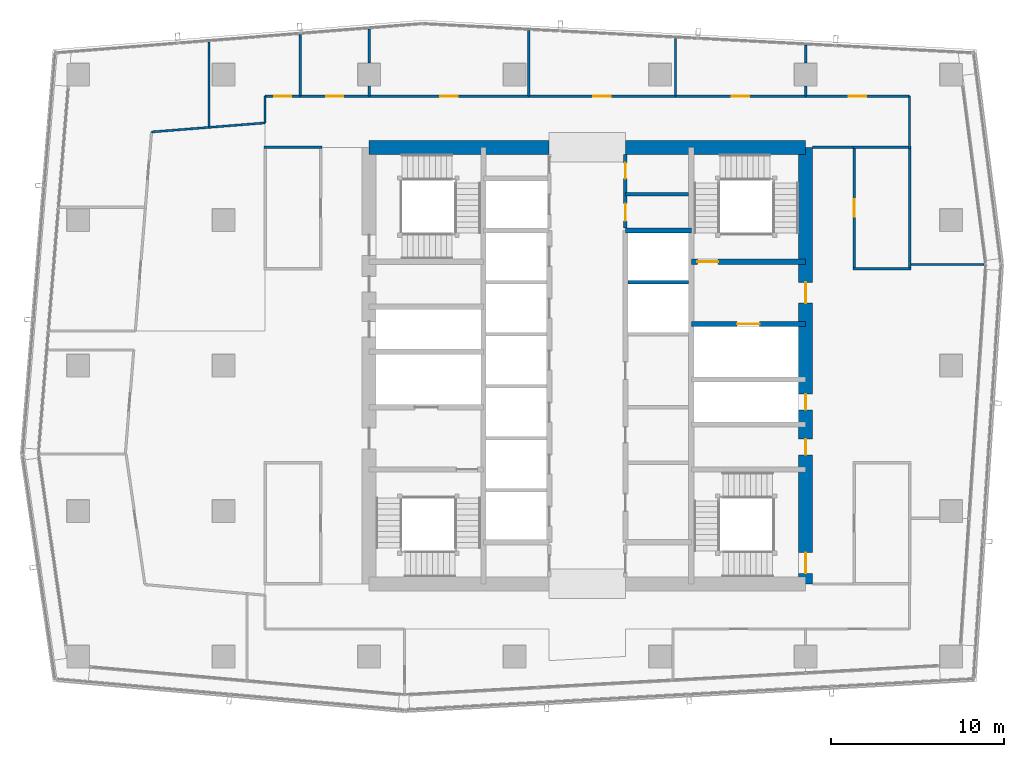
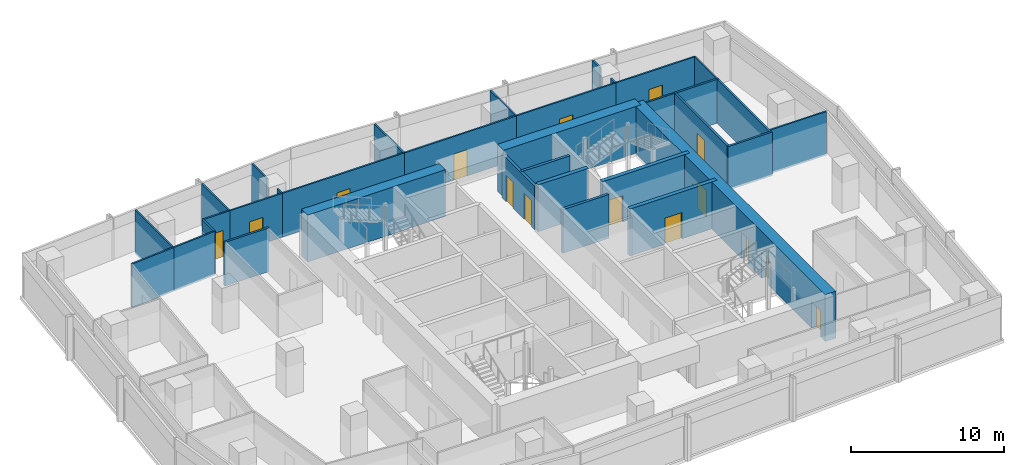
# One storey, part 24 of 29: 34 walls, 15 doors, 15 openings.
"""IFC4 building model written with IfcOpenShell, lengths in metres."""

from ifc_helpers import new_model, si_unit, direction, frame, frame_2d, origin, place, context, subcontext, project, spatial, rectangle, extrude, material, layer, layer_set, type_object, element, fill, save


model = new_model("IFC4")

# Units and contexts
model_context = context("Model", 3, precision=1e-05, world=origin(), true_north=direction((0.0, 1.0)))
body_context = subcontext(model_context, "Body", "Model", "MODEL_VIEW")
ifc_project = project(units=[si_unit("LENGTHUNIT", "METRE"), si_unit("AREAUNIT", "SQUARE_METRE"), si_unit("VOLUMEUNIT", "CUBIC_METRE"), si_unit("PLANEANGLEUNIT", "RADIAN"), si_unit("MASSUNIT", "GRAM", prefix="KILO")], contexts=[model_context])

# Site, building, storey
site_placement = place(None, origin())
site = spatial("IfcSite", under=ifc_project, at=site_placement, CompositionType="ELEMENT")
building_placement = place(site_placement, origin())
building = spatial("IfcBuilding", under=site, at=building_placement, Name="Rekha Terrace Tower", CompositionType="ELEMENT")
storey_placement = place(building_placement, frame((0.0, 0.0, 261.35009765625)))
storey = spatial("IfcBuildingStorey", under=building, at=storey_placement, Name="L66", CompositionType="ELEMENT", Elevation=261.35009765625)

# Wall
ifc_material_1 = material(Name="Concrete M60", Category="concrete")
ifc_layer_1 = layer(ifc_material_1, 0.300048828125)
ifc_layer_set_1 = layer_set([ifc_layer_1], Name="Concrete M60")
wall_type_1 = type_object("IfcWallType", Name="CI5 300 core internal shear wall", PredefinedType="SHEAR", material=ifc_layer_set_1)
wall_1_placement = place(storey_placement, frame((40.0, 41.39990234375, 0.0), z_axis=(0.0, 0.0, 1.0), x_axis=(1.0, 0.0, 0.0)))
element("IfcWall", 1, at=wall_1_placement, inside=storey, type_object=wall_type_1, Name="Core wall Y414E L66", PredefinedType="SHEAR", context=body_context, shape_type="SweptSolid", body=[
    extrude(rectangle(XDim=3.800048828125, YDim=0.300048828125, at=frame_2d((1.89990234375, 0.0))), origin(), (0.0, 0.0, 1.0), 3.75),
])

# Wall, opening, door
wall_2_placement = place(storey_placement, frame((43.800048828125, 36.0, 0.0), z_axis=(0.0, 0.0, 1.0), x_axis=(1.0, 0.0, 0.0)))
wall_2 = element("IfcWall", 2, at=wall_2_placement, inside=storey, type_object=wall_type_1, Name="Core wall Y360E L66", PredefinedType="SHEAR", context=body_context, shape_type="SweptSolid", body=[
    extrude(rectangle(XDim=6.599853515625, YDim=0.300048828125, at=frame_2d((3.2998046875, 0.0))), origin(), (0.0, 0.0, 1.0), 3.75),
])
opening_1_placement = place(wall_2_placement, frame((2.64990234375, 0.0, 0.0)))
opening_1 = element("IfcOpeningElement", 3, at=opening_1_placement, cuts=wall_2, Name="Opening LD2", PredefinedType="OPENING", context=body_context, shape_type="SweptSolid", body=[
    extrude(rectangle(XDim=1.300048828125, YDim=2.10009765625, at=frame_2d((0.64990234375, 1.050048828125))), frame((0.0, 0.159912109375, 0.0), z_axis=(0.0, -1.0, 0.0), x_axis=(1.0, 0.0, 0.0)), (0.0, 0.0, 1.0), 0.320068359375),
])
ifc_material_2 = material(Name="Stainless steel sliding landing door", Category="steel")
door_type_1 = type_object("IfcDoorType", Name="LD2 1300x2100 fire lift landing door", OperationType="SLIDING_TO_LEFT", PredefinedType="USERDEFINED", material=ifc_material_2)
door_1_placement = place(opening_1_placement, origin())
door_1 = element("IfcDoor", 4, at=door_1_placement, inside=storey, type_object=door_type_1, Name="Lift FL2 landing door L66", ObjectType="LIFT LANDING DOOR", OperationType="SLIDING_TO_LEFT", OverallHeight=2.10009765625, OverallWidth=1.300048828125, PredefinedType="USERDEFINED", context=body_context, shape_type="SweptSolid", body=[
    extrude(rectangle(XDim=1.300048828125, YDim=2.10009765625, at=frame_2d((0.64990234375, 1.050048828125))), frame((0.0, 0.02490234375, 0.0), z_axis=(0.0, -1.0, 0.0), x_axis=(1.0, 0.0, 0.0)), (0.0, 0.0, 1.0), 0.050048828125),
])
fill(opening_1, door_1)

wall_3_placement = place(storey_placement, frame((43.800048828125, 39.60009765625, 0.0), z_axis=(0.0, 0.0, 1.0), x_axis=(1.0, 0.0, 0.0)))
wall_3 = element("IfcWall", 5, at=wall_3_placement, inside=storey, type_object=wall_type_1, Name="Core wall Y396E L66", PredefinedType="SHEAR", context=body_context, shape_type="SweptSolid", body=[
    extrude(rectangle(XDim=6.599853515625, YDim=0.300048828125, at=frame_2d((3.2998046875, 0.0))), origin(), (0.0, 0.0, 1.0), 3.75),
])
opening_2_placement = place(wall_3_placement, frame((0.35009765625, 0.0, 0.0)))
opening_2 = element("IfcOpeningElement", 6, at=opening_2_placement, cuts=wall_3, Name="Opening D1", PredefinedType="OPENING", context=body_context, shape_type="SweptSolid", body=[
    extrude(rectangle(XDim=1.199951171875, YDim=2.10009765625, at=frame_2d((0.60009765625, 1.050048828125))), frame((0.0, 0.159912109375, 0.0), z_axis=(0.0, -1.0, 0.0), x_axis=(1.0, 0.0, 0.0)), (0.0, 0.0, 1.0), 0.320068359375),
])
ifc_material_3 = material(Name="Steel fire door", Category="steel")
door_type_2 = type_object("IfcDoorType", Name="D1 1200x2100 stair fire door", OperationType="SINGLE_SWING_RIGHT", PredefinedType="DOOR", material=ifc_material_3)
door_2_placement = place(opening_2_placement, origin())
door_2 = element("IfcDoor", 7, at=door_2_placement, inside=storey, type_object=door_type_2, Name="Stair ST2 door L66", OperationType="SINGLE_SWING_RIGHT", OverallHeight=2.10009765625, OverallWidth=1.199951171875, PredefinedType="DOOR", context=body_context, shape_type="SweptSolid", body=[
    extrude(rectangle(XDim=1.199951171875, YDim=2.10009765625, at=frame_2d((0.60009765625, 1.050048828125))), frame((0.0, 0.02490234375, 0.0), z_axis=(0.0, -1.0, 0.0), x_axis=(1.0, 0.0, 0.0)), (0.0, 0.0, 1.0), 0.050048828125),
])
fill(opening_2, door_2)

# Walls
ifc_layer_2 = layer(ifc_material_1, 0.800048828125)
ifc_layer_set_2 = layer_set([ifc_layer_2], Name="Concrete M60")
wall_type_2 = type_object("IfcWallType", Name="SW5 800 core outer shear wall", PredefinedType="SHEAR", material=ifc_layer_set_2)
wall_4_placement = place(storey_placement, frame((25.199951171875, 46.199951171875, 0.0), z_axis=(0.0, 0.0, 1.0), x_axis=(1.0, 0.0, 0.0)))
element("IfcWall", 8, at=wall_4_placement, inside=storey, type_object=wall_type_2, Name="Core wall N1 L66", PredefinedType="SHEAR", context=body_context, shape_type="SweptSolid", body=[
    extrude(rectangle(XDim=10.400146484375, YDim=0.800048828125, at=frame_2d((5.2001953125, 0.0))), origin(), (0.0, 0.0, 1.0), 3.75),
])
wall_5_placement = place(storey_placement, frame((40.0, 46.199951171875, 0.0), z_axis=(0.0, 0.0, 1.0), x_axis=(1.0, 0.0, 0.0)))
element("IfcWall", 9, at=wall_5_placement, inside=storey, type_object=wall_type_2, Name="Core wall N2 L66", PredefinedType="SHEAR", context=body_context, shape_type="SweptSolid", body=[
    extrude(rectangle(XDim=10.39990234375, YDim=0.800048828125, at=frame_2d((5.199951171875, 0.0))), origin(), (0.0, 0.0, 1.0), 3.75),
])

# Wall, openings, doors
wall_6_placement = place(storey_placement, frame((50.39990234375, 21.0, 0.0), z_axis=(0.0, 0.0, 1.0), x_axis=(0.0, 1.0, 0.0)))
wall_6 = element("IfcWall", 10, at=wall_6_placement, inside=storey, type_object=wall_type_2, Name="Core wall E L66", PredefinedType="SHEAR", context=body_context, shape_type="SweptSolid", body=[
    extrude(rectangle(XDim=25.199951171875, YDim=0.800048828125, at=frame_2d((12.60009765625, 0.0))), origin(), (0.0, 0.0, 1.0), 3.75),
])
opening_3_placement = place(wall_6_placement, frame((16.199951171875, 0.0, 0.0)))
opening_3 = element("IfcOpeningElement", 11, at=opening_3_placement, cuts=wall_6, Name="Opening D2", PredefinedType="OPENING", context=body_context, shape_type="SweptSolid", body=[
    extrude(rectangle(XDim=1.199951171875, YDim=2.10009765625, at=frame_2d((0.60009765625, 1.050048828125))), frame((0.0, 0.409912109375, 0.0), z_axis=(0.0, -1.0, 0.0), x_axis=(1.0, 0.0, 0.0)), (0.0, 0.0, 1.0), 0.820068359375),
])
opening_4_placement = place(wall_6_placement, frame((10.050048828125, 0.0, 0.0)))
opening_4 = element("IfcOpeningElement", 12, at=opening_4_placement, cuts=wall_6, Name="Opening D5", PredefinedType="OPENING", context=body_context, shape_type="SweptSolid", body=[
    extrude(rectangle(XDim=0.89990234375, YDim=2.10009765625, at=frame_2d((0.449951171875, 1.050048828125))), frame((0.0, 0.409912109375, 0.0), z_axis=(0.0, -1.0, 0.0), x_axis=(1.0, 0.0, 0.0)), (0.0, 0.0, 1.0), 0.820068359375),
])
opening_5_placement = place(wall_6_placement, frame((7.449951171875, 0.0, 0.0)))
opening_5 = element("IfcOpeningElement", 13, at=opening_5_placement, cuts=wall_6, Name="Opening D5", PredefinedType="OPENING", context=body_context, shape_type="SweptSolid", body=[
    extrude(rectangle(XDim=0.89990234375, YDim=2.10009765625, at=frame_2d((0.449951171875, 1.050048828125))), frame((0.0, 0.409912109375, 0.0), z_axis=(0.0, -1.0, 0.0), x_axis=(1.0, 0.0, 0.0)), (0.0, 0.0, 1.0), 0.820068359375),
])
opening_6_placement = place(wall_6_placement, frame((0.60009765625, 0.0, 0.0)))
opening_6 = element("IfcOpeningElement", 14, at=opening_6_placement, cuts=wall_6, Name="Opening D1", PredefinedType="OPENING", context=body_context, shape_type="SweptSolid", body=[
    extrude(rectangle(XDim=1.199951171875, YDim=2.10009765625, at=frame_2d((0.60009765625, 1.050048828125))), frame((0.0, 0.409912109375, 0.0), z_axis=(0.0, -1.0, 0.0), x_axis=(1.0, 0.0, 0.0)), (0.0, 0.0, 1.0), 0.820068359375),
])
door_3_placement = place(opening_6_placement, origin())
door_3 = element("IfcDoor", 15, at=door_3_placement, inside=storey, type_object=door_type_2, Name="Stair ST3 door L66", OperationType="SINGLE_SWING_RIGHT", OverallHeight=2.10009765625, OverallWidth=1.199951171875, PredefinedType="DOOR", context=body_context, shape_type="SweptSolid", body=[
    extrude(rectangle(XDim=1.199951171875, YDim=2.10009765625, at=frame_2d((0.60009765625, 1.050048828125))), frame((0.0, 0.02490234375, 0.0), z_axis=(0.0, -1.0, 0.0), x_axis=(1.0, 0.0, 0.0)), (0.0, 0.0, 1.0), 0.050048828125),
])
fill(opening_6, door_3)
door_type_3 = type_object("IfcDoorType", Name="D2 1200x2100 firefighting lobby door", OperationType="SINGLE_SWING_LEFT", PredefinedType="DOOR", material=ifc_material_3)
door_4_placement = place(opening_3_placement, origin())
door_4 = element("IfcDoor", 16, at=door_4_placement, inside=storey, type_object=door_type_3, Name="Door flb2 L66", OperationType="SINGLE_SWING_LEFT", OverallHeight=2.10009765625, OverallWidth=1.199951171875, PredefinedType="DOOR", context=body_context, shape_type="SweptSolid", body=[
    extrude(rectangle(XDim=1.199951171875, YDim=2.10009765625, at=frame_2d((0.60009765625, 1.050048828125))), frame((0.0, 0.02490234375, 0.0), z_axis=(0.0, -1.0, 0.0), x_axis=(1.0, 0.0, 0.0)), (0.0, 0.0, 1.0), 0.050048828125),
])
fill(opening_3, door_4)
door_type_4 = type_object("IfcDoorType", Name="D5 900x2100 riser access door", OperationType="SINGLE_SWING_LEFT", PredefinedType="DOOR", material=ifc_material_3)
door_5_placement = place(opening_4_placement, origin())
door_5 = element("IfcDoor", 17, at=door_5_placement, inside=storey, type_object=door_type_4, Name="Door rs2 L66", OperationType="SINGLE_SWING_LEFT", OverallHeight=2.10009765625, OverallWidth=0.89990234375, PredefinedType="DOOR", context=body_context, shape_type="SweptSolid", body=[
    extrude(rectangle(XDim=0.89990234375, YDim=2.10009765625, at=frame_2d((0.449951171875, 1.050048828125))), frame((0.0, 0.02490234375, 0.0), z_axis=(0.0, -1.0, 0.0), x_axis=(1.0, 0.0, 0.0)), (0.0, 0.0, 1.0), 0.050048828125),
])
fill(opening_4, door_5)
door_6_placement = place(opening_5_placement, origin())
door_6 = element("IfcDoor", 18, at=door_6_placement, inside=storey, type_object=door_type_4, Name="Door ele L66", OperationType="SINGLE_SWING_LEFT", OverallHeight=2.10009765625, OverallWidth=0.89990234375, PredefinedType="DOOR", context=body_context, shape_type="SweptSolid", body=[
    extrude(rectangle(XDim=0.89990234375, YDim=2.10009765625, at=frame_2d((0.449951171875, 1.050048828125))), frame((0.0, 0.02490234375, 0.0), z_axis=(0.0, -1.0, 0.0), x_axis=(1.0, 0.0, 0.0)), (0.0, 0.0, 1.0), 0.050048828125),
])
fill(opening_5, door_6)

# Walls
ifc_material_4 = material(Name="Concrete block masonry, 1 hour", Category="masonry")
ifc_layer_3 = layer(ifc_material_4, 0.14990234375)
ifc_layer_set_3 = layer_set([ifc_layer_3], Name="Concrete block masonry, 1 hour")
wall_type_3 = type_object("IfcWallType", Name="WP2 150 tenancy partition", PredefinedType="PARTITIONING", material=ifc_layer_set_3)
for number, where, z_axis, x_axis, name in (
    (19, (53.125, 39.199951171875, 0.0), (0.0, 0.0, 1.0), (1.0, 0.0, 0.0), "Women's WC wall L66"),
    (20, (53.125, 46.199951171875, 0.0), (0.0, 0.0, 1.0), (1.0, 0.0, 0.0), "Women's WC wall L66"),
):
    element("IfcWall", number, at=place(storey_placement, frame(where, z_axis=z_axis, x_axis=x_axis)), inside=storey, type_object=wall_type_3, Name=name, PredefinedType="PARTITIONING", context=body_context, shape_type="SweptSolid", body=[
        extrude(rectangle(XDim=3.35009765625, YDim=0.14990234375, at=frame_2d((1.675048828125, 0.0))), origin(), (0.0, 0.0, 1.0), 3.5),
    ])

# Wall, opening, door
wall_7_placement = place(storey_placement, frame((53.199951171875, 39.27490234375, 0.0), z_axis=(0.0, 0.0, 1.0), x_axis=(0.0, 1.0, 0.0)))
wall_7 = element("IfcWall", 21, at=wall_7_placement, inside=storey, type_object=wall_type_3, Name="Women's WC wall L66", PredefinedType="PARTITIONING", context=body_context, shape_type="SweptSolid", body=[
    extrude(rectangle(XDim=6.85009765625, YDim=0.14990234375, at=frame_2d((3.425048828125, 0.0))), origin(), (0.0, 0.0, 1.0), 3.5),
])
opening_7_placement = place(wall_7_placement, frame((2.925048828125, 0.0, 0.0)))
opening_7 = element("IfcOpeningElement", 22, at=opening_7_placement, cuts=wall_7, Name="Opening D3", PredefinedType="OPENING", context=body_context, shape_type="SweptSolid", body=[
    extrude(rectangle(XDim=1.0, YDim=2.10009765625, at=frame_2d((0.5, 1.050048828125))), frame((0.0, 0.0849609375, 0.0), z_axis=(0.0, -1.0, 0.0), x_axis=(1.0, 0.0, 0.0)), (0.0, 0.0, 1.0), 0.169921875),
])
ifc_material_5 = material(Name="Laminated timber fire door", Category="wood")
door_type_5 = type_object("IfcDoorType", Name="D3 1000x2100 WC door", OperationType="SINGLE_SWING_LEFT", PredefinedType="DOOR", material=ifc_material_5)
door_7_placement = place(opening_7_placement, origin())
door_7 = element("IfcDoor", 23, at=door_7_placement, inside=storey, type_object=door_type_5, Name="Door women's wc L66", OperationType="SINGLE_SWING_LEFT", OverallHeight=2.10009765625, OverallWidth=1.0, PredefinedType="DOOR", context=body_context, shape_type="SweptSolid", body=[
    extrude(rectangle(XDim=1.0, YDim=2.10009765625, at=frame_2d((0.5, 1.050048828125))), frame((0.0, 0.02490234375, 0.0), z_axis=(0.0, -1.0, 0.0), x_axis=(1.0, 0.0, 0.0)), (0.0, 0.0, 1.0), 0.050048828125),
])
fill(opening_7, door_7)

# Walls
wall_8_placement = place(storey_placement, frame((56.39990234375, 39.27490234375, 0.0), z_axis=(0.0, 0.0, 1.0), x_axis=(0.0, 1.0, 0.0)))
element("IfcWall", 24, at=wall_8_placement, inside=storey, type_object=wall_type_3, Name="Women's WC wall L66", PredefinedType="PARTITIONING", context=body_context, shape_type="SweptSolid", body=[
    extrude(rectangle(XDim=6.85009765625, YDim=0.14990234375, at=frame_2d((3.425048828125, 0.0))), origin(), (0.0, 0.0, 1.0), 3.5),
])
wall_9_placement = place(storey_placement, frame((19.125, 46.199951171875, 0.0), z_axis=(0.0, 0.0, 1.0), x_axis=(1.0, 0.0, 0.0)))
element("IfcWall", 25, at=wall_9_placement, inside=storey, type_object=wall_type_3, Name="Women's WC wall L66", PredefinedType="PARTITIONING", context=body_context, shape_type="SweptSolid", body=[
    extrude(rectangle(XDim=3.35009765625, YDim=0.14990234375, at=frame_2d((1.675048828125, 0.0))), origin(), (0.0, 0.0, 1.0), 3.5),
])
ifc_material_6 = material(Name="Two layers of fire-rated gypsum board each side on steel studs, acoustic quilt, 1 hour", Category="steel")
ifc_layer_4 = layer(ifc_material_6, 0.125)
ifc_layer_set_4 = layer_set([ifc_layer_4], Name="Two layers of fire-rated gypsum board each side on steel studs, acoustic quilt, 1 hour")
wall_type_4 = type_object("IfcWallType", Name="WP3 125 office partition", PredefinedType="PARTITIONING", material=ifc_layer_set_4)
wall_10_placement = place(storey_placement, frame((50.800048828125, 46.199951171875, 0.0), z_axis=(0.0, 0.0, 1.0), x_axis=(1.0, 0.0, 0.0)))
element("IfcWall", 26, at=wall_10_placement, inside=storey, type_object=wall_type_4, Name="Partition L66-05", PredefinedType="PARTITIONING", context=body_context, shape_type="SweptSolid", body=[
    extrude(rectangle(XDim=2.323974609375, YDim=0.125, at=frame_2d((1.162109375, 0.0))), origin(), (0.0, 0.0, 1.0), 3.5),
])
wall_11_placement = place(storey_placement, frame((56.47509765625, 39.43896484375, 0.0), z_axis=(0.0, 0.0, 1.0), x_axis=(1.0, 0.0, 0.0)))
element("IfcWall", 27, at=wall_11_placement, inside=storey, type_object=wall_type_4, Name="Partition L66-05", PredefinedType="PARTITIONING", context=body_context, shape_type="SweptSolid", body=[
    extrude(rectangle(XDim=4.224853515625, YDim=0.125, at=frame_2d((2.1123046875, 0.0))), origin(), (0.0, 0.0, 1.0), 3.5),
])
wall_12_placement = place(storey_placement, frame((50.403076171875, 49.14990234375, 0.0), z_axis=(0.0, 0.0, 1.0), x_axis=(0.0, 1.0, 0.0)))
element("IfcWall", 28, at=wall_12_placement, inside=storey, type_object=wall_type_4, Name="Partition L66-06", PredefinedType="PARTITIONING", context=body_context, shape_type="SweptSolid", body=[
    extrude(rectangle(XDim=0.580078125, YDim=0.125, at=frame_2d((0.2900390625, 0.0))), origin(), (0.0, 0.0, 1.0), 3.5),
])
wall_13_placement = place(storey_placement, frame((50.403076171875, 51.070068359375, 0.0), z_axis=(0.0, 0.0, 1.0), x_axis=(0.0, 1.0, 0.0)))
element("IfcWall", 29, at=wall_13_placement, inside=storey, type_object=wall_type_4, Name="Partition L66-06", PredefinedType="PARTITIONING", context=body_context, shape_type="SweptSolid", body=[
    extrude(rectangle(XDim=1.02392578125, YDim=0.125, at=frame_2d((0.511962890625, 0.0))), origin(), (0.0, 0.0, 1.0), 3.5),
])
wall_14_placement = place(storey_placement, frame((56.39990234375, 46.125, 0.0), z_axis=(0.0, 0.0, 1.0), x_axis=(0.0, 1.0, 0.0)))
element("IfcWall", 30, at=wall_14_placement, inside=storey, type_object=wall_type_4, Name="Partition L66-06", PredefinedType="PARTITIONING", context=body_context, shape_type="SweptSolid", body=[
    extrude(rectangle(XDim=3.02490234375, YDim=0.125, at=frame_2d((1.512451171875, 0.0))), origin(), (0.0, 0.0, 1.0), 3.5),
])

# Wall, opening, door
wall_15_placement = place(storey_placement, frame((56.39990234375, 49.14990234375, 0.0), z_axis=(0.0, 0.0, 1.0), x_axis=(-1.0, 0.0, 0.0)))
wall_15 = element("IfcWall", 31, at=wall_15_placement, inside=storey, type_object=wall_type_4, Name="Partition L66-06", PredefinedType="PARTITIONING", context=body_context, shape_type="SweptSolid", body=[
    extrude(rectangle(XDim=5.996826171875, YDim=0.125, at=frame_2d((2.99853515625, 0.0))), origin(), (0.0, 0.0, 1.0), 3.5),
])
opening_8_placement = place(wall_15_placement, frame((2.498046875, 0.0, 0.0)))
opening_8 = element("IfcOpeningElement", 32, at=opening_8_placement, cuts=wall_15, Name="Opening D9", PredefinedType="OPENING", context=body_context, shape_type="SweptSolid", body=[
    extrude(rectangle(XDim=1.0, YDim=2.10009765625, at=frame_2d((0.5, 1.050048828125))), frame((0.0, 0.072509765625, 0.0), z_axis=(0.0, -1.0, 0.0), x_axis=(1.0, 0.0, 0.0)), (0.0, 0.0, 1.0), 0.14501953125),
])
ifc_material_7 = material(Name="Timber fire door", Category="wood")
door_type_6 = type_object("IfcDoorType", Name="D9 1000x2100 office door", OperationType="SINGLE_SWING_LEFT", PredefinedType="DOOR", material=ifc_material_7)
door_8_placement = place(opening_8_placement, origin())
door_8 = element("IfcDoor", 33, at=door_8_placement, inside=storey, type_object=door_type_6, Name="Door director's office L66", OperationType="SINGLE_SWING_LEFT", OverallHeight=2.10009765625, OverallWidth=1.0, PredefinedType="DOOR", context=body_context, shape_type="SweptSolid", body=[
    extrude(rectangle(XDim=1.0, YDim=2.10009765625, at=frame_2d((0.5, 1.050048828125))), frame((0.0, 0.02490234375, 0.0), z_axis=(0.0, -1.0, 0.0), x_axis=(1.0, 0.0, 0.0)), (0.0, 0.0, 1.0), 0.050048828125),
])
fill(opening_8, door_8)

wall_16_placement = place(storey_placement, frame((50.402099609375, 49.14990234375, 0.0), z_axis=(0.0, 0.0, 1.0), x_axis=(-1.0, 0.0, 0.0)))
wall_16 = element("IfcWall", 34, at=wall_16_placement, inside=storey, type_object=wall_type_4, Name="Partition L66-07", PredefinedType="PARTITIONING", context=body_context, shape_type="SweptSolid", body=[
    extrude(rectangle(XDim=7.51220703125, YDim=0.125, at=frame_2d((3.756103515625, 0.0))), origin(), (0.0, 0.0, 1.0), 3.5),
])
opening_9_placement = place(wall_16_placement, frame((3.256103515625, 0.0, 0.0)))
opening_9 = element("IfcOpeningElement", 35, at=opening_9_placement, cuts=wall_16, Name="Opening D9", PredefinedType="OPENING", context=body_context, shape_type="SweptSolid", body=[
    extrude(rectangle(XDim=1.0, YDim=2.10009765625, at=frame_2d((0.5, 1.050048828125))), frame((0.0, 0.072509765625, 0.0), z_axis=(0.0, -1.0, 0.0), x_axis=(1.0, 0.0, 0.0)), (0.0, 0.0, 1.0), 0.14501953125),
])
door_9_placement = place(opening_9_placement, origin())
door_9 = element("IfcDoor", 36, at=door_9_placement, inside=storey, type_object=door_type_6, Name="Door office L66", OperationType="SINGLE_SWING_LEFT", OverallHeight=2.10009765625, OverallWidth=1.0, PredefinedType="DOOR", context=body_context, shape_type="SweptSolid", body=[
    extrude(rectangle(XDim=1.0, YDim=2.10009765625, at=frame_2d((0.5, 1.050048828125))), frame((0.0, 0.02490234375, 0.0), z_axis=(0.0, -1.0, 0.0), x_axis=(1.0, 0.0, 0.0)), (0.0, 0.0, 1.0), 0.050048828125),
])
fill(opening_9, door_9)

# Wall
wall_17_placement = place(storey_placement, frame((42.889892578125, 49.14990234375, 0.0), z_axis=(0.0, 0.0, 1.0), x_axis=(0.0, 1.0, 0.0)))
element("IfcWall", 37, at=wall_17_placement, inside=storey, type_object=wall_type_4, Name="Partition L66-07", PredefinedType="PARTITIONING", context=body_context, shape_type="SweptSolid", body=[
    extrude(rectangle(XDim=3.343017578125, YDim=0.125, at=frame_2d((1.67138671875, 0.0))), origin(), (0.0, 0.0, 1.0), 3.5),
])

# Wall, opening, door
wall_18_placement = place(storey_placement, frame((42.888916015625, 49.14990234375, 0.0), z_axis=(0.0, 0.0, 1.0), x_axis=(-1.0, 0.0, 0.0)))
wall_18 = element("IfcWall", 38, at=wall_18_placement, inside=storey, type_object=wall_type_4, Name="Partition L66-08", PredefinedType="PARTITIONING", context=body_context, shape_type="SweptSolid", body=[
    extrude(rectangle(XDim=8.470947265625, YDim=0.125, at=frame_2d((4.2353515625, 0.0))), origin(), (0.0, 0.0, 1.0), 3.5),
])
opening_10_placement = place(wall_18_placement, frame((3.736083984375, 0.0, 0.0)))
opening_10 = element("IfcOpeningElement", 39, at=opening_10_placement, cuts=wall_18, Name="Opening D9", PredefinedType="OPENING", context=body_context, shape_type="SweptSolid", body=[
    extrude(rectangle(XDim=1.0, YDim=2.10009765625, at=frame_2d((0.5, 1.050048828125))), frame((0.0, 0.072509765625, 0.0), z_axis=(0.0, -1.0, 0.0), x_axis=(1.0, 0.0, 0.0)), (0.0, 0.0, 1.0), 0.14501953125),
])
door_10_placement = place(opening_10_placement, origin())
door_10 = element("IfcDoor", 40, at=door_10_placement, inside=storey, type_object=door_type_6, Name="Door office L66", OperationType="SINGLE_SWING_LEFT", OverallHeight=2.10009765625, OverallWidth=1.0, PredefinedType="DOOR", context=body_context, shape_type="SweptSolid", body=[
    extrude(rectangle(XDim=1.0, YDim=2.10009765625, at=frame_2d((0.5, 1.050048828125))), frame((0.0, 0.02490234375, 0.0), z_axis=(0.0, -1.0, 0.0), x_axis=(1.0, 0.0, 0.0)), (0.0, 0.0, 1.0), 0.050048828125),
])
fill(opening_10, door_10)

# Wall
wall_19_placement = place(storey_placement, frame((34.41796875, 49.14990234375, 0.0), z_axis=(0.0, 0.0, 1.0), x_axis=(0.0, 1.0, 0.0)))
element("IfcWall", 41, at=wall_19_placement, inside=storey, type_object=wall_type_4, Name="Partition L66-08", PredefinedType="PARTITIONING", context=body_context, shape_type="SweptSolid", body=[
    extrude(rectangle(XDim=3.793212890625, YDim=0.125, at=frame_2d((1.896484375, 0.0))), origin(), (0.0, 0.0, 1.0), 3.5),
])

# Wall, opening, door
wall_20_placement = place(storey_placement, frame((34.4169921875, 49.14990234375, 0.0), z_axis=(0.0, 0.0, 1.0), x_axis=(-1.0, 0.0, 0.0)))
wall_20 = element("IfcWall", 42, at=wall_20_placement, inside=storey, type_object=wall_type_4, Name="Partition L66-09", PredefinedType="PARTITIONING", context=body_context, shape_type="SweptSolid", body=[
    extrude(rectangle(XDim=9.2109375, YDim=0.125, at=frame_2d((4.60546875, 0.0))), origin(), (0.0, 0.0, 1.0), 3.5),
])
opening_11_placement = place(wall_20_placement, frame((4.10498046875, 0.0, 0.0)))
opening_11 = element("IfcOpeningElement", 43, at=opening_11_placement, cuts=wall_20, Name="Opening D9", PredefinedType="OPENING", context=body_context, shape_type="SweptSolid", body=[
    extrude(rectangle(XDim=1.0, YDim=2.10009765625, at=frame_2d((0.5, 1.050048828125))), frame((0.0, 0.072509765625, 0.0), z_axis=(0.0, -1.0, 0.0), x_axis=(1.0, 0.0, 0.0)), (0.0, 0.0, 1.0), 0.14501953125),
])
door_11_placement = place(opening_11_placement, origin())
door_11 = element("IfcDoor", 44, at=door_11_placement, inside=storey, type_object=door_type_6, Name="Door office L66", OperationType="SINGLE_SWING_LEFT", OverallHeight=2.10009765625, OverallWidth=1.0, PredefinedType="DOOR", context=body_context, shape_type="SweptSolid", body=[
    extrude(rectangle(XDim=1.0, YDim=2.10009765625, at=frame_2d((0.5, 1.050048828125))), frame((0.0, 0.02490234375, 0.0), z_axis=(0.0, -1.0, 0.0), x_axis=(1.0, 0.0, 0.0)), (0.0, 0.0, 1.0), 0.050048828125),
])
fill(opening_11, door_11)

# Walls
wall_21_placement = place(storey_placement, frame((25.2060546875, 49.14990234375, 0.0), z_axis=(0.0, 0.0, 1.0), x_axis=(0.0, 1.0, 0.0)))
element("IfcWall", 45, at=wall_21_placement, inside=storey, type_object=wall_type_4, Name="Partition L66-09", PredefinedType="PARTITIONING", context=body_context, shape_type="SweptSolid", body=[
    extrude(rectangle(XDim=0.580078125, YDim=0.125, at=frame_2d((0.2900390625, 0.0))), origin(), (0.0, 0.0, 1.0), 3.5),
])
wall_22_placement = place(storey_placement, frame((25.2060546875, 51.070068359375, 0.0), z_axis=(0.0, 0.0, 1.0), x_axis=(0.0, 1.0, 0.0)))
element("IfcWall", 46, at=wall_22_placement, inside=storey, type_object=wall_type_4, Name="Partition L66-09", PredefinedType="PARTITIONING", context=body_context, shape_type="SweptSolid", body=[
    extrude(rectangle(XDim=1.954833984375, YDim=0.125, at=frame_2d((0.9775390625, 0.0))), origin(), (0.0, 0.0, 1.0), 3.5),
])

# Wall, opening, door
wall_23_placement = place(storey_placement, frame((25.205078125, 49.14990234375, 0.0), z_axis=(0.0, 0.0, 1.0), x_axis=(-1.0, 0.0, 0.0)))
wall_23 = element("IfcWall", 47, at=wall_23_placement, inside=storey, type_object=wall_type_4, Name="Partition L66-10", PredefinedType="PARTITIONING", context=body_context, shape_type="SweptSolid", body=[
    extrude(rectangle(XDim=3.97802734375, YDim=0.125, at=frame_2d((1.989013671875, 0.0))), origin(), (0.0, 0.0, 1.0), 3.5),
])
opening_12_placement = place(wall_23_placement, frame((1.489013671875, 0.0, 0.0)))
opening_12 = element("IfcOpeningElement", 48, at=opening_12_placement, cuts=wall_23, Name="Opening D9", PredefinedType="OPENING", context=body_context, shape_type="SweptSolid", body=[
    extrude(rectangle(XDim=1.0, YDim=2.10009765625, at=frame_2d((0.5, 1.050048828125))), frame((0.0, 0.072509765625, 0.0), z_axis=(0.0, -1.0, 0.0), x_axis=(1.0, 0.0, 0.0)), (0.0, 0.0, 1.0), 0.14501953125),
])
door_12_placement = place(opening_12_placement, origin())
door_12 = element("IfcDoor", 49, at=door_12_placement, inside=storey, type_object=door_type_6, Name="Door office L66", OperationType="SINGLE_SWING_LEFT", OverallHeight=2.10009765625, OverallWidth=1.0, PredefinedType="DOOR", context=body_context, shape_type="SweptSolid", body=[
    extrude(rectangle(XDim=1.0, YDim=2.10009765625, at=frame_2d((0.5, 1.050048828125))), frame((0.0, 0.02490234375, 0.0), z_axis=(0.0, -1.0, 0.0), x_axis=(1.0, 0.0, 0.0)), (0.0, 0.0, 1.0), 0.050048828125),
])
fill(opening_12, door_12)

# Walls
wall_24_placement = place(storey_placement, frame((21.22705078125, 49.14990234375, 0.0), z_axis=(0.0, 0.0, 1.0), x_axis=(0.0, 1.0, 0.0)))
element("IfcWall", 50, at=wall_24_placement, inside=storey, type_object=wall_type_4, Name="Partition L66-10", PredefinedType="PARTITIONING", context=body_context, shape_type="SweptSolid", body=[
    extrude(rectangle(XDim=3.55810546875, YDim=0.125, at=frame_2d((1.779052734375, 0.0))), origin(), (0.0, 0.0, 1.0), 3.5),
])
wall_25_placement = place(storey_placement, frame((19.199951171875, 47.610107421875, 0.0), z_axis=(0.0, 0.0, 1.0), x_axis=(-0.99683691537, -0.079474298708, 0.0)))
element("IfcWall", 51, at=wall_25_placement, inside=storey, type_object=wall_type_4, Name="Partition L66-11", PredefinedType="PARTITIONING", context=body_context, shape_type="SweptSolid", body=[
    extrude(rectangle(XDim=3.25927734375, YDim=0.125, at=frame_2d((1.629638671875, 0.0))), origin(), (0.0, 0.0, 1.0), 3.5),
])
wall_26_placement = place(storey_placement, frame((15.950927734375, 47.35107421875, 0.0), z_axis=(0.0, 0.0, 1.0), x_axis=(0.0, 1.0, 0.0)))
element("IfcWall", 52, at=wall_26_placement, inside=storey, type_object=wall_type_4, Name="Partition L66-11", PredefinedType="PARTITIONING", context=body_context, shape_type="SweptSolid", body=[
    extrude(rectangle(XDim=4.93603515625, YDim=0.125, at=frame_2d((2.468017578125, 0.0))), origin(), (0.0, 0.0, 1.0), 3.5),
])

# Wall, opening, door
wall_27_placement = place(storey_placement, frame((21.22607421875, 49.14990234375, 0.0), z_axis=(0.0, 0.0, 1.0), x_axis=(-1.0, 0.0, 0.0)))
wall_27 = element("IfcWall", 53, at=wall_27_placement, inside=storey, type_object=wall_type_4, Name="Partition L66-11", PredefinedType="PARTITIONING", context=body_context, shape_type="SweptSolid", body=[
    extrude(rectangle(XDim=2.026123046875, YDim=0.125, at=frame_2d((1.01318359375, 0.0))), origin(), (0.0, 0.0, 1.0), 3.5),
])
opening_13_placement = place(wall_27_placement, frame((0.512939453125, 0.0, 0.0)))
opening_13 = element("IfcOpeningElement", 54, at=opening_13_placement, cuts=wall_27, Name="Opening D9", PredefinedType="OPENING", context=body_context, shape_type="SweptSolid", body=[
    extrude(rectangle(XDim=1.0, YDim=2.10009765625, at=frame_2d((0.5, 1.050048828125))), frame((0.0, 0.072509765625, 0.0), z_axis=(0.0, -1.0, 0.0), x_axis=(1.0, 0.0, 0.0)), (0.0, 0.0, 1.0), 0.14501953125),
])
door_13_placement = place(opening_13_placement, origin())
door_13 = element("IfcDoor", 55, at=door_13_placement, inside=storey, type_object=door_type_6, Name="Door office L66", OperationType="SINGLE_SWING_LEFT", OverallHeight=2.10009765625, OverallWidth=1.0, PredefinedType="DOOR", context=body_context, shape_type="SweptSolid", body=[
    extrude(rectangle(XDim=1.0, YDim=2.10009765625, at=frame_2d((0.5, 1.050048828125))), frame((0.0, 0.02490234375, 0.0), z_axis=(0.0, -1.0, 0.0), x_axis=(1.0, 0.0, 0.0)), (0.0, 0.0, 1.0), 0.050048828125),
])
fill(opening_13, door_13)

# Walls
wall_28_placement = place(storey_placement, frame((19.199951171875, 49.14990234375, 0.0), z_axis=(0.0, 0.0, 1.0), x_axis=(0.0, -1.0, 0.0)))
element("IfcWall", 56, at=wall_28_placement, inside=storey, type_object=wall_type_4, Name="Partition L66-11", PredefinedType="PARTITIONING", context=body_context, shape_type="SweptSolid", body=[
    extrude(rectangle(XDim=1.539794921875, YDim=0.125, at=frame_2d((0.77001953125, 0.0))), origin(), (0.0, 0.0, 1.0), 3.5),
])
wall_29_placement = place(storey_placement, frame((15.949951171875, 47.35107421875, 0.0), z_axis=(0.0, 0.0, 1.0), x_axis=(-0.99682463174, -0.07962822086, 0.0)))
element("IfcWall", 57, at=wall_29_placement, inside=storey, type_object=wall_type_4, Name="Partition L66-12", PredefinedType="PARTITIONING", context=body_context, shape_type="SweptSolid", body=[
    extrude(rectangle(XDim=3.3173828125, YDim=0.125, at=frame_2d((1.65869140625, 0.0))), origin(), (0.0, 0.0, 1.0), 3.5),
])
ifc_material_8 = material(Name="Solid concrete block masonry, 2 hour", Category="masonry")
ifc_layer_5 = layer(ifc_material_8, 0.199951171875)
ifc_layer_set_5 = layer_set([ifc_layer_5], Name="Solid concrete block masonry, 2 hour")
wall_type_5 = type_object("IfcWallType", Name="WS1 200 stair and shaft enclosure", PredefinedType="PARTITIONING", material=ifc_layer_set_5)
wall_30_placement = place(storey_placement, frame((40.14990234375, 38.39990234375, 0.0), z_axis=(0.0, 0.0, 1.0), x_axis=(1.0, 0.0, 0.0)))
element("IfcWall", 58, at=wall_30_placement, inside=storey, type_object=wall_type_5, Name="Lift shaft divider L66", PredefinedType="PARTITIONING", context=body_context, shape_type="SweptSolid", body=[
    extrude(rectangle(XDim=3.5, YDim=0.199951171875, at=frame_2d((1.75, 0.0))), origin(), (0.0, 0.0, 1.0), 3.5),
])

# Wall, openings, doors
wall_31_placement = place(storey_placement, frame((40.0, 41.550048828125, 0.0), z_axis=(0.0, 0.0, 1.0), x_axis=(0.0, 1.0, 0.0)))
wall_31 = element("IfcWall", 59, at=wall_31_placement, inside=storey, type_object=wall_type_5, Name="Core partition elec L66", PredefinedType="PARTITIONING", context=body_context, shape_type="SweptSolid", body=[
    extrude(rectangle(XDim=4.25, YDim=0.199951171875, at=frame_2d((2.125, 0.0))), origin(), (0.0, 0.0, 1.0), 3.5),
])
opening_14_placement = place(wall_31_placement, frame((2.85009765625, 0.0, 0.0)))
opening_14 = element("IfcOpeningElement", 60, at=opening_14_placement, cuts=wall_31, Name="Opening D5", PredefinedType="OPENING", context=body_context, shape_type="SweptSolid", body=[
    extrude(rectangle(XDim=0.89990234375, YDim=2.10009765625, at=frame_2d((0.449951171875, 1.050048828125))), frame((0.0, 0.10986328125, 0.0), z_axis=(0.0, -1.0, 0.0), x_axis=(1.0, 0.0, 0.0)), (0.0, 0.0, 1.0), 0.219970703125),
])
opening_15_placement = place(wall_31_placement, frame((0.39990234375, 0.0, 0.0)))
opening_15 = element("IfcOpeningElement", 61, at=opening_15_placement, cuts=wall_31, Name="Opening D9", PredefinedType="OPENING", context=body_context, shape_type="SweptSolid", body=[
    extrude(rectangle(XDim=1.0, YDim=2.10009765625, at=frame_2d((0.5, 1.050048828125))), frame((0.0, 0.10986328125, 0.0), z_axis=(0.0, -1.0, 0.0), x_axis=(1.0, 0.0, 0.0)), (0.0, 0.0, 1.0), 0.219970703125),
])
door_14_placement = place(opening_14_placement, origin())
door_14 = element("IfcDoor", 62, at=door_14_placement, inside=storey, type_object=door_type_4, Name="Door electrical room L66", OperationType="SINGLE_SWING_LEFT", OverallHeight=2.10009765625, OverallWidth=0.89990234375, PredefinedType="DOOR", context=body_context, shape_type="SweptSolid", body=[
    extrude(rectangle(XDim=0.89990234375, YDim=2.10009765625, at=frame_2d((0.449951171875, 1.050048828125))), frame((0.0, 0.02490234375, 0.0), z_axis=(0.0, -1.0, 0.0), x_axis=(1.0, 0.0, 0.0)), (0.0, 0.0, 1.0), 0.050048828125),
])
fill(opening_14, door_14)
door_15_placement = place(opening_15_placement, origin())
door_15 = element("IfcDoor", 63, at=door_15_placement, inside=storey, type_object=door_type_6, Name="Door mail and print room L66", OperationType="SINGLE_SWING_LEFT", OverallHeight=2.10009765625, OverallWidth=1.0, PredefinedType="DOOR", context=body_context, shape_type="SweptSolid", body=[
    extrude(rectangle(XDim=1.0, YDim=2.10009765625, at=frame_2d((0.5, 1.050048828125))), frame((0.0, 0.02490234375, 0.0), z_axis=(0.0, -1.0, 0.0), x_axis=(1.0, 0.0, 0.0)), (0.0, 0.0, 1.0), 0.050048828125),
])
fill(opening_15, door_15)

# Wall
wall_32_placement = place(storey_placement, frame((40.0, 43.5, 0.0), z_axis=(0.0, 0.0, 1.0), x_axis=(1.0, 0.0, 0.0)))
element("IfcWall", 64, at=wall_32_placement, inside=storey, type_object=wall_type_5, Name="Core partition elx L66", PredefinedType="PARTITIONING", context=body_context, shape_type="SweptSolid", body=[
    extrude(rectangle(XDim=3.64990234375, YDim=0.199951171875, at=frame_2d((1.824951171875, 0.0))), origin(), (0.0, 0.0, 1.0), 3.5),
])

save(model, "model.ifc")
